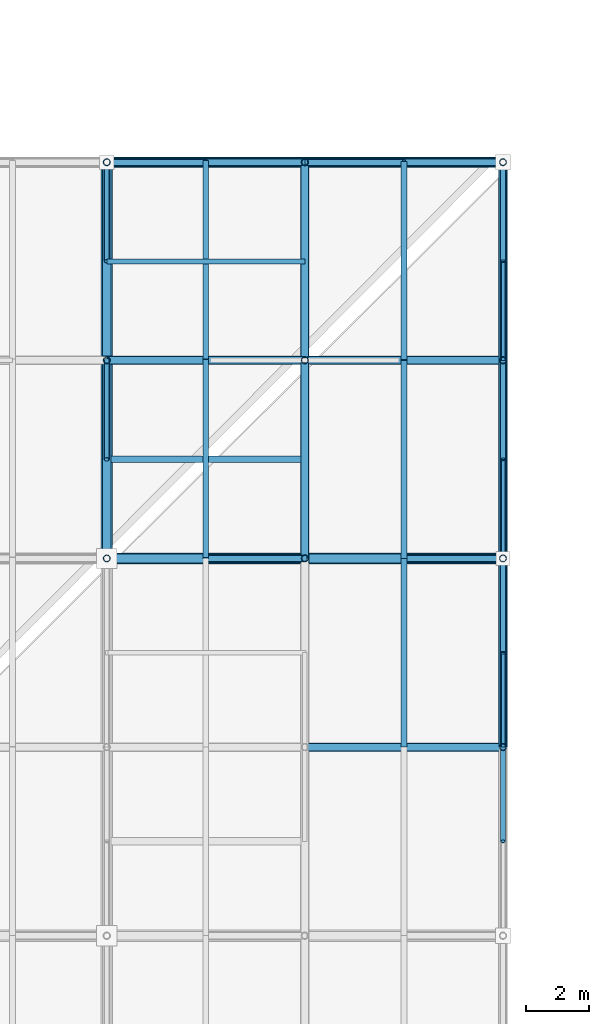
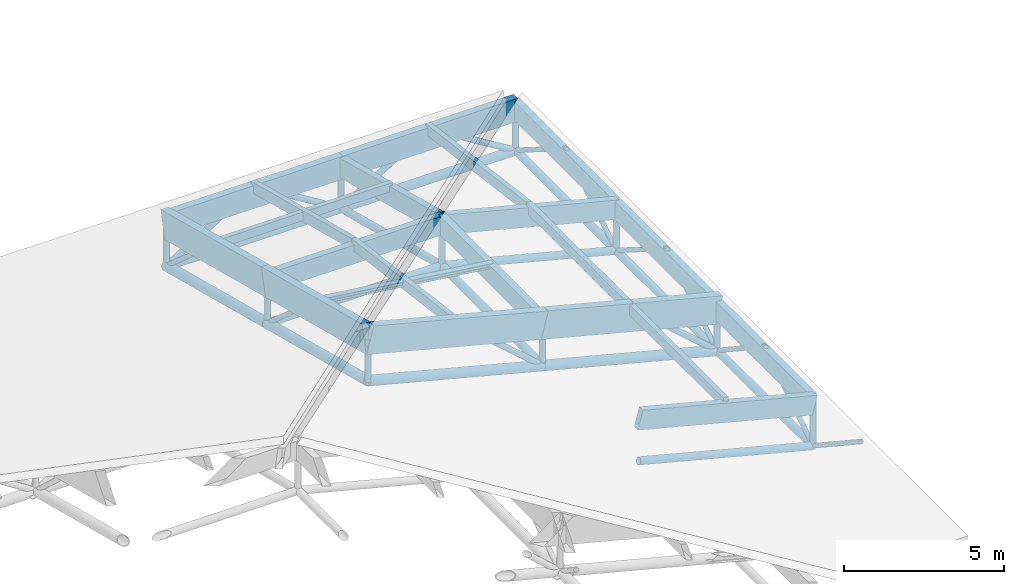
# One storey, part 68 of 80: 60 members.
"""IFC4 building model written with IfcOpenShell, lengths in metres."""

from ifc_helpers import new_model, si_unit, direction, frame, origin, origin_2d, place, context, subcontext, project, spatial, rectangle, hollow_circle, i_section, extrude, material, material_profile, profile_set, type_object, element, save


model = new_model("IFC4")

# Units and contexts
model_context = context("Model", 3, precision=1e-05, world=origin(), true_north=direction((0.0, 1.0)))
body_context = subcontext(model_context, "Body", "Model", "MODEL_VIEW")
ifc_project = project(units=[si_unit("LENGTHUNIT", "METRE"), si_unit("AREAUNIT", "SQUARE_METRE"), si_unit("VOLUMEUNIT", "CUBIC_METRE"), si_unit("PLANEANGLEUNIT", "RADIAN"), si_unit("MASSUNIT", "GRAM", prefix="KILO"), si_unit("THERMODYNAMICTEMPERATUREUNIT", "KELVIN"), si_unit("POWERUNIT", "WATT")], contexts=[model_context])

# Site, building, storey
site_placement = place(None, origin())
site = spatial("IfcSite", under=ifc_project, at=site_placement, CompositionType="ELEMENT")
building_placement = place(site_placement, origin())
building = spatial("IfcBuilding", under=site, at=building_placement, Name="Solmara Park Aquatics Centre", CompositionType="ELEMENT")
storey_placement = place(building_placement, frame((0.0, 0.0, 22.800048828125)))
storey = spatial("IfcBuildingStorey", under=building, at=storey_placement, Name="RF", CompositionType="ELEMENT", Elevation=22.800048828125)

# Members
ifc_material_1 = material(Name="Structural Steel S355", Category="steel")
ifc_material_profile_1 = material_profile(ifc_material_1, hollow_circle(Radius=0.084228515625, WallThickness=0.008056640625, at=origin_2d()), Name="CHS 168.3x8")
ifc_profile_set_1 = profile_set([ifc_material_profile_1], Name="Structural Steel S355")
member_type_1 = type_object("IfcMemberType", Name="STR-BRC-CHS168", PredefinedType="BRACE", material=ifc_profile_set_1)
for number, where, z_axis, x_axis, name in (
    (1, (109.199951171875, 66.60009765625, -14.400146484375), (0.0, -0.834611904619, 0.550838423377), (1.0, 0.0, 0.0), "Roof Truss Web Diagonal Y 2107"),
    (2, (109.199951171875, 66.60009765625, -14.400146484375), (0.0, 0.834611904619, 0.550838423377), (-1.0, 0.0, 0.0), "Roof Truss Web Diagonal Y 2129"),
    (3, (109.199951171875, 72.60009765625, -14.400146484375), (0.0, -0.834611904619, 0.550838423377), (1.0, 0.0, 0.0), "Roof Truss Web Diagonal Y 2130"),
):
    element("IfcMember", number, at=place(storey_placement, frame(where, z_axis=z_axis, x_axis=x_axis)), inside=storey, type_object=member_type_1, Name=name, PredefinedType="BRACE", context=body_context, shape_type="SweptSolid", body=[
        extrude(hollow_circle(Radius=0.084228515625, WallThickness=0.008056640625, at=origin_2d()), origin(), (0.0, 0.0, 1.0), 3.594482421875),
    ])
member_1_placement = place(storey_placement, frame((96.60009765625, 78.89990234375, -12.770751953125), z_axis=(0.0, -0.748026356938, 0.663669020917), x_axis=(1.0, 0.0, 0.0)))
element("IfcMember", 4, at=member_1_placement, inside=storey, type_object=member_type_1, Name="Roof Truss Web Diagonal Y 2149", PredefinedType="BRACE", context=body_context, shape_type="SweptSolid", body=[
    extrude(hollow_circle(Radius=0.084228515625, WallThickness=0.008056640625, at=origin_2d()), origin(), (0.0, 0.0, 1.0), 4.2109375),
])
for number, where, z_axis, x_axis, name in (
    (5, (109.199951171875, 72.60009765625, -14.400146484375), (0.0, 0.846631480792, 0.532179608527), (-1.0, 0.0, 0.0), "Roof Truss Web Diagonal Y 2150"),
    (6, (109.199951171875, 78.89990234375, -14.400146484375), (0.0, -0.846631480792, 0.532179608527), (1.0, 0.0, 0.0), "Roof Truss Web Diagonal Y 2151"),
):
    element("IfcMember", number, at=place(storey_placement, frame(where, z_axis=z_axis, x_axis=x_axis)), inside=storey, type_object=member_type_1, Name=name, PredefinedType="BRACE", context=body_context, shape_type="SweptSolid", body=[
        extrude(hollow_circle(Radius=0.084228515625, WallThickness=0.008056640625, at=origin_2d()), origin(), (0.0, 0.0, 1.0), 3.720458984375),
    ])
member_2_placement = place(storey_placement, frame((96.60009765625, 85.199951171875, -14.400146484375), z_axis=(0.0, -0.748026356938, 0.663669020917), x_axis=(1.0, 0.0, 0.0)))
element("IfcMember", 7, at=member_2_placement, inside=storey, type_object=member_type_1, Name="Roof Truss Web Diagonal Y 2170", PredefinedType="BRACE", context=body_context, shape_type="SweptSolid", body=[
    extrude(hollow_circle(Radius=0.084228515625, WallThickness=0.008056640625, at=origin_2d()), origin(), (0.0, 0.0, 1.0), 4.2109375),
])
member_3_placement = place(storey_placement, frame((109.199951171875, 78.89990234375, -14.400146484375), z_axis=(0.0, 0.846650063869, 0.532150044019), x_axis=(-1.0, 0.0, 0.0)))
element("IfcMember", 8, at=member_3_placement, inside=storey, type_object=member_type_1, Name="Roof Truss Web Diagonal Y 2171", PredefinedType="BRACE", context=body_context, shape_type="SweptSolid", body=[
    extrude(hollow_circle(Radius=0.084228515625, WallThickness=0.008056640625, at=origin_2d()), origin(), (0.0, 0.0, 1.0), 3.720703125),
])
member_4_placement = place(storey_placement, frame((109.199951171875, 85.199951171875, -14.400146484375), z_axis=(0.0, -0.846631480792, 0.532179608527), x_axis=(1.0, 0.0, 0.0)))
element("IfcMember", 9, at=member_4_placement, inside=storey, type_object=member_type_1, Name="Roof Truss Web Diagonal Y 2172", PredefinedType="BRACE", context=body_context, shape_type="SweptSolid", body=[
    extrude(hollow_circle(Radius=0.084228515625, WallThickness=0.008056640625, at=origin_2d()), origin(), (0.0, 0.0, 1.0), 3.720458984375),
])
ifc_material_profile_2 = material_profile(ifc_material_1, hollow_circle(Radius=0.109619140625, WallThickness=0.010009765625, at=origin_2d()), Name="CHS 219.1x10")
ifc_profile_set_2 = profile_set([ifc_material_profile_2], Name="Structural Steel S355")
member_type_2 = type_object("IfcMemberType", Name="STR-BRC-CHS219", PredefinedType="BRACE", material=ifc_profile_set_2)
member_5_placement = place(storey_placement, frame((102.89990234375, 72.60009765625, -12.770751953125), z_axis=(-0.752757378615, 0.0, 0.658298054791), x_axis=(0.0, -1.0, 0.0)))
element("IfcMember", 10, at=member_5_placement, inside=storey, type_object=member_type_2, Name="Roof Truss Web Diagonal X 1812", PredefinedType="BRACE", context=body_context, shape_type="SweptSolid", body=[
    extrude(hollow_circle(Radius=0.109619140625, WallThickness=0.010009765625, at=origin_2d()), origin(), (0.0, 0.0, 1.0), 4.1845703125),
])
for number, where, z_axis, x_axis, name in (
    (11, (96.60009765625, 85.199951171875, -14.400146484375), (0.851442988405, 0.0, 0.524447173218), (0.0, 1.0, 0.0), "Roof Truss Web Diagonal X 1813"),
    (12, (102.89990234375, 85.199951171875, -14.400146484375), (-0.851442988405, 0.0, 0.524447173218), (0.0, -1.0, 0.0), "Roof Truss Web Diagonal X 1814"),
):
    element("IfcMember", number, at=place(storey_placement, frame(where, z_axis=z_axis, x_axis=x_axis)), inside=storey, type_object=member_type_2, Name=name, PredefinedType="BRACE", context=body_context, shape_type="SweptSolid", body=[
        extrude(hollow_circle(Radius=0.109619140625, WallThickness=0.010009765625, at=origin_2d()), origin(), (0.0, 0.0, 1.0), 3.699462890625),
    ])
member_6_placement = place(storey_placement, frame((109.199951171875, 72.60009765625, -14.400146484375), z_axis=(-0.752757378615, 0.0, 0.658298054791), x_axis=(0.0, -1.0, 0.0)))
element("IfcMember", 13, at=member_6_placement, inside=storey, type_object=member_type_2, Name="Roof Truss Web Diagonal X 1836", PredefinedType="BRACE", context=body_context, shape_type="SweptSolid", body=[
    extrude(hollow_circle(Radius=0.109619140625, WallThickness=0.010009765625, at=origin_2d()), origin(), (0.0, 0.0, 1.0), 4.1845703125),
])
member_7_placement = place(storey_placement, frame((102.89990234375, 85.199951171875, -14.400146484375), z_axis=(0.851461137937, 0.0, 0.524417706207), x_axis=(0.0, 1.0, 0.0)))
element("IfcMember", 14, at=member_7_placement, inside=storey, type_object=member_type_2, Name="Roof Truss Web Diagonal X 1837", PredefinedType="BRACE", context=body_context, shape_type="SweptSolid", body=[
    extrude(hollow_circle(Radius=0.109619140625, WallThickness=0.010009765625, at=origin_2d()), origin(), (0.0, 0.0, 1.0), 3.69970703125),
])
member_8_placement = place(storey_placement, frame((109.199951171875, 85.199951171875, -14.400146484375), z_axis=(-0.851442988405, 0.0, 0.524447173218), x_axis=(0.0, -1.0, 0.0)))
element("IfcMember", 15, at=member_8_placement, inside=storey, type_object=member_type_2, Name="Roof Truss Web Diagonal X 1838", PredefinedType="BRACE", context=body_context, shape_type="SweptSolid", body=[
    extrude(hollow_circle(Radius=0.109619140625, WallThickness=0.010009765625, at=origin_2d()), origin(), (0.0, 0.0, 1.0), 3.699462890625),
])
ifc_material_profile_3 = material_profile(ifc_material_1, hollow_circle(Radius=0.136474609375, WallThickness=0.012451171875, at=origin_2d()), Name="CHS 273x12.5")
ifc_profile_set_3 = profile_set([ifc_material_profile_3], Name="Structural Steel S355")
member_type_3 = type_object("IfcMemberType", Name="STR-CHD-CHS273", PredefinedType="CHORD", material=ifc_profile_set_3)
member_9_placement = place(storey_placement, frame((102.89990234375, 66.60009765625, -12.770751953125), z_axis=(0.968144245908, 0.0, -0.25039312913), x_axis=(0.0, 1.0, 0.0)))
element("IfcMember", 16, at=member_9_placement, inside=storey, type_object=member_type_3, Name="Steel Roof Truss Bottom Chord X 0432", PredefinedType="CHORD", context=body_context, shape_type="SweptSolid", body=[
    extrude(hollow_circle(Radius=0.136474609375, WallThickness=0.012451171875, at=origin_2d()), origin(), (0.0, 0.0, 1.0), 6.50732421875),
])
member_10_placement = place(storey_placement, frame((96.60009765625, 78.89990234375, -12.770751953125), z_axis=(1.0, 0.0, 0.0), x_axis=(0.0, 1.0, 0.0)))
element("IfcMember", 17, at=member_10_placement, inside=storey, type_object=member_type_3, Name="Steel Roof Truss Bottom Chord X 0502", PredefinedType="CHORD", context=body_context, shape_type="SweptSolid", body=[
    extrude(hollow_circle(Radius=0.136474609375, WallThickness=0.012451171875, at=origin_2d()), origin(), (0.0, 0.0, 1.0), 6.2998046875),
])
member_11_placement = place(storey_placement, frame((102.89990234375, 78.89990234375, -12.770751953125), z_axis=(0.968144245908, 0.0, -0.25039312913), x_axis=(0.0, 1.0, 0.0)))
element("IfcMember", 18, at=member_11_placement, inside=storey, type_object=member_type_3, Name="Steel Roof Truss Bottom Chord X 0504", PredefinedType="CHORD", context=body_context, shape_type="SweptSolid", body=[
    extrude(hollow_circle(Radius=0.136474609375, WallThickness=0.012451171875, at=origin_2d()), origin(), (0.0, 0.0, 1.0), 6.50732421875),
])
member_12_placement = place(storey_placement, frame((102.89990234375, 72.60009765625, -12.770751953125), z_axis=(0.0, 1.0, 0.0), x_axis=(-1.0, 0.0, 0.0)))
element("IfcMember", 19, at=member_12_placement, inside=storey, type_object=member_type_3, Name="Steel Roof Truss Bottom Chord Y 1042", PredefinedType="CHORD", context=body_context, shape_type="SweptSolid", body=[
    extrude(hollow_circle(Radius=0.136474609375, WallThickness=0.012451171875, at=origin_2d()), origin(), (0.0, 0.0, 1.0), 6.2998046875),
])
member_13_placement = place(storey_placement, frame((102.89990234375, 78.89990234375, -12.770751953125), z_axis=(0.0, 0.968144245908, -0.25039312913), x_axis=(-1.0, 0.0, 0.0)))
element("IfcMember", 20, at=member_13_placement, inside=storey, type_object=member_type_3, Name="Steel Roof Truss Bottom Chord Y 1044", PredefinedType="CHORD", context=body_context, shape_type="SweptSolid", body=[
    extrude(hollow_circle(Radius=0.136474609375, WallThickness=0.012451171875, at=origin_2d()), origin(), (0.0, 0.0, 1.0), 6.50732421875),
])
member_14_placement = place(storey_placement, frame((109.199951171875, 66.60009765625, -14.400146484375), z_axis=(0.0, 1.0, 0.0), x_axis=(-1.0, 0.0, 0.0)))
element("IfcMember", 21, at=member_14_placement, inside=storey, type_object=member_type_3, Name="Steel Roof Truss Bottom Chord Y 1068", PredefinedType="CHORD", context=body_context, shape_type="SweptSolid", body=[
    extrude(hollow_circle(Radius=0.136474609375, WallThickness=0.012451171875, at=origin_2d()), origin(), (0.0, 0.0, 1.0), 6.0),
])
member_15_placement = place(storey_placement, frame((109.199951171875, 72.60009765625, -14.400146484375), z_axis=(0.0, 1.0, 0.0), x_axis=(-1.0, 0.0, 0.0)))
element("IfcMember", 22, at=member_15_placement, inside=storey, type_object=member_type_3, Name="Steel Roof Truss Bottom Chord Y 1070", PredefinedType="CHORD", context=body_context, shape_type="SweptSolid", body=[
    extrude(hollow_circle(Radius=0.136474609375, WallThickness=0.012451171875, at=origin_2d()), origin(), (0.0, 0.0, 1.0), 6.2998046875),
])
member_16_placement = place(storey_placement, frame((109.199951171875, 78.89990234375, -14.400146484375), z_axis=(0.0, 1.0, 0.0), x_axis=(-1.0, 0.0, 0.0)))
element("IfcMember", 23, at=member_16_placement, inside=storey, type_object=member_type_3, Name="Steel Roof Truss Bottom Chord Y 1072", PredefinedType="CHORD", context=body_context, shape_type="SweptSolid", body=[
    extrude(hollow_circle(Radius=0.136474609375, WallThickness=0.012451171875, at=origin_2d()), origin(), (0.0, 0.0, 1.0), 6.300048828125),
])
ifc_material_profile_4 = material_profile(ifc_material_1, hollow_circle(Radius=0.161865234375, WallThickness=0.01611328125, at=origin_2d()), Name="CHS 323.9x16")
ifc_profile_set_4 = profile_set([ifc_material_profile_4], Name="Structural Steel S355")
member_type_4 = type_object("IfcMemberType", Name="STR-CHD-CHS323", PredefinedType="CHORD", material=ifc_profile_set_4)
member_17_placement = place(storey_placement, frame((96.60009765625, 85.199951171875, -14.400146484375), z_axis=(1.0, 0.0, 0.0), x_axis=(0.0, 1.0, 0.0)))
element("IfcMember", 24, at=member_17_placement, inside=storey, type_object=member_type_4, Name="Steel Roof Truss Bottom Chord X 0538", PredefinedType="CHORD", context=body_context, shape_type="SweptSolid", body=[
    extrude(hollow_circle(Radius=0.161865234375, WallThickness=0.01611328125, at=origin_2d()), origin(), (0.0, 0.0, 1.0), 6.2998046875),
])
member_18_placement = place(storey_placement, frame((102.89990234375, 85.199951171875, -14.400146484375), z_axis=(1.0, 0.0, 0.0), x_axis=(0.0, 1.0, 0.0)))
element("IfcMember", 25, at=member_18_placement, inside=storey, type_object=member_type_4, Name="Steel Roof Truss Bottom Chord X 0540", PredefinedType="CHORD", context=body_context, shape_type="SweptSolid", body=[
    extrude(hollow_circle(Radius=0.161865234375, WallThickness=0.01611328125, at=origin_2d()), origin(), (0.0, 0.0, 1.0), 6.300048828125),
])
ifc_material_profile_5 = material_profile(ifc_material_1, hollow_circle(Radius=0.177734375, WallThickness=0.01611328125, at=origin_2d()), Name="CHS 355.6x16")
ifc_profile_set_5 = profile_set([ifc_material_profile_5], Name="Structural Steel S355")
member_type_5 = type_object("IfcMemberType", Name="STR-CHD-CHS355", PredefinedType="CHORD", material=ifc_profile_set_5)
member_19_placement = place(storey_placement, frame((96.60009765625, 72.60009765625, -11.141357421875), z_axis=(0.968141893543, 0.0, -0.250402224365), x_axis=(0.0, 1.0, 0.0)))
element("IfcMember", 26, at=member_19_placement, inside=storey, type_object=member_type_5, Name="Steel Roof Truss Bottom Chord X 0466", PredefinedType="CHORD", context=body_context, shape_type="SweptSolid", body=[
    extrude(hollow_circle(Radius=0.177734375, WallThickness=0.01611328125, at=origin_2d()), origin(), (0.0, 0.0, 1.0), 6.507080078125),
])
member_20_placement = place(storey_placement, frame((102.89990234375, 72.60009765625, -12.770751953125), z_axis=(0.968144245908, 0.0, -0.25039312913), x_axis=(0.0, 1.0, 0.0)))
element("IfcMember", 27, at=member_20_placement, inside=storey, type_object=member_type_5, Name="Steel Roof Truss Bottom Chord X 0468", PredefinedType="CHORD", context=body_context, shape_type="SweptSolid", body=[
    extrude(hollow_circle(Radius=0.177734375, WallThickness=0.01611328125, at=origin_2d()), origin(), (0.0, 0.0, 1.0), 6.50732421875),
])
member_21_placement = place(storey_placement, frame((96.60009765625, 72.60009765625, -11.141357421875), z_axis=(0.0, 0.968141893543, -0.250402224365), x_axis=(-1.0, 0.0, 0.0)))
element("IfcMember", 28, at=member_21_placement, inside=storey, type_object=member_type_5, Name="Steel Roof Truss Bottom Chord Y 1014", PredefinedType="CHORD", context=body_context, shape_type="SweptSolid", body=[
    extrude(hollow_circle(Radius=0.177734375, WallThickness=0.01611328125, at=origin_2d()), origin(), (0.0, 0.0, 1.0), 6.507080078125),
])
member_22_placement = place(storey_placement, frame((96.60009765625, 78.89990234375, -12.770751953125), z_axis=(0.0, 0.968144245908, -0.25039312913), x_axis=(-1.0, 0.0, 0.0)))
element("IfcMember", 29, at=member_22_placement, inside=storey, type_object=member_type_5, Name="Steel Roof Truss Bottom Chord Y 1016", PredefinedType="CHORD", context=body_context, shape_type="SweptSolid", body=[
    extrude(hollow_circle(Radius=0.177734375, WallThickness=0.01611328125, at=origin_2d()), origin(), (0.0, 0.0, 1.0), 6.50732421875),
])
ifc_material_2 = material(Name="Glulam Timber GL28h", Category="wood")
ifc_material_profile_6 = material_profile(ifc_material_2, rectangle(XDim=0.239990234375, YDim=0.719970703125, at=origin_2d()), Name="GL28h 240x720")
ifc_profile_set_6 = profile_set([ifc_material_profile_6], Name="Glulam Timber GL28h")
member_type_6 = type_object("IfcMemberType", Name="STR-CHD-GL240x720", PredefinedType="CHORD", material=ifc_profile_set_6)
member_23_placement = place(storey_placement, frame((102.89990234375, 66.60009765625, -11.150634765625), z_axis=(0.968144245908, 0.0, -0.25039312913), x_axis=(0.0, 1.0, 0.0)))
element("IfcMember", 30, at=member_23_placement, inside=storey, type_object=member_type_6, Name="Glulam Roof Truss Top Chord X 0431", PredefinedType="CHORD", context=body_context, shape_type="SweptSolid", body=[
    extrude(rectangle(XDim=0.239990234375, YDim=0.719970703125, at=origin_2d()), origin(), (0.0, 0.0, 1.0), 6.50732421875),
])
member_24_placement = place(storey_placement, frame((96.60009765625, 78.89990234375, -11.150634765625), z_axis=(1.0, 0.0, 0.0), x_axis=(0.0, 1.0, 0.0)))
element("IfcMember", 31, at=member_24_placement, inside=storey, type_object=member_type_6, Name="Glulam Roof Truss Top Chord X 0501", PredefinedType="CHORD", context=body_context, shape_type="SweptSolid", body=[
    extrude(rectangle(XDim=0.239990234375, YDim=0.719970703125, at=origin_2d()), origin(), (0.0, 0.0, 1.0), 6.2998046875),
])
member_25_placement = place(storey_placement, frame((102.89990234375, 78.89990234375, -11.150634765625), z_axis=(0.968144245908, 0.0, -0.25039312913), x_axis=(0.0, 1.0, 0.0)))
element("IfcMember", 32, at=member_25_placement, inside=storey, type_object=member_type_6, Name="Glulam Roof Truss Top Chord X 0503", PredefinedType="CHORD", context=body_context, shape_type="SweptSolid", body=[
    extrude(rectangle(XDim=0.239990234375, YDim=0.719970703125, at=origin_2d()), origin(), (0.0, 0.0, 1.0), 6.50732421875),
])
member_26_placement = place(storey_placement, frame((102.89990234375, 72.60009765625, -11.150634765625), z_axis=(0.0, 1.0, 0.0), x_axis=(-1.0, 0.0, 0.0)))
element("IfcMember", 33, at=member_26_placement, inside=storey, type_object=member_type_6, Name="Glulam Roof Truss Top Chord Y 1041", PredefinedType="CHORD", context=body_context, shape_type="SweptSolid", body=[
    extrude(rectangle(XDim=0.239990234375, YDim=0.719970703125, at=origin_2d()), origin(), (0.0, 0.0, 1.0), 6.2998046875),
])
member_27_placement = place(storey_placement, frame((102.89990234375, 78.89990234375, -11.150634765625), z_axis=(0.0, 0.968144245908, -0.25039312913), x_axis=(-1.0, 0.0, 0.0)))
element("IfcMember", 34, at=member_27_placement, inside=storey, type_object=member_type_6, Name="Glulam Roof Truss Top Chord Y 1043", PredefinedType="CHORD", context=body_context, shape_type="SweptSolid", body=[
    extrude(rectangle(XDim=0.239990234375, YDim=0.719970703125, at=origin_2d()), origin(), (0.0, 0.0, 1.0), 6.50732421875),
])
member_28_placement = place(storey_placement, frame((109.199951171875, 66.60009765625, -12.780029296875), z_axis=(0.0, 1.0, 0.0), x_axis=(-1.0, 0.0, 0.0)))
element("IfcMember", 35, at=member_28_placement, inside=storey, type_object=member_type_6, Name="Glulam Roof Truss Top Chord Y 1067", PredefinedType="CHORD", context=body_context, shape_type="SweptSolid", body=[
    extrude(rectangle(XDim=0.239990234375, YDim=0.719970703125, at=origin_2d()), origin(), (0.0, 0.0, 1.0), 6.0),
])
member_29_placement = place(storey_placement, frame((109.199951171875, 72.60009765625, -12.780029296875), z_axis=(0.0, 1.0, 0.0), x_axis=(-1.0, 0.0, 0.0)))
element("IfcMember", 36, at=member_29_placement, inside=storey, type_object=member_type_6, Name="Glulam Roof Truss Top Chord Y 1069", PredefinedType="CHORD", context=body_context, shape_type="SweptSolid", body=[
    extrude(rectangle(XDim=0.239990234375, YDim=0.719970703125, at=origin_2d()), origin(), (0.0, 0.0, 1.0), 6.2998046875),
])
member_30_placement = place(storey_placement, frame((109.199951171875, 78.89990234375, -12.780029296875), z_axis=(0.0, 1.0, 0.0), x_axis=(-1.0, 0.0, 0.0)))
element("IfcMember", 37, at=member_30_placement, inside=storey, type_object=member_type_6, Name="Glulam Roof Truss Top Chord Y 1071", PredefinedType="CHORD", context=body_context, shape_type="SweptSolid", body=[
    extrude(rectangle(XDim=0.239990234375, YDim=0.719970703125, at=origin_2d()), origin(), (0.0, 0.0, 1.0), 6.300048828125),
])
ifc_material_profile_7 = material_profile(ifc_material_2, rectangle(XDim=0.260009765625, YDim=0.8798828125, at=origin_2d()), Name="GL28h 260x880")
ifc_profile_set_7 = profile_set([ifc_material_profile_7], Name="Glulam Timber GL28h")
member_type_7 = type_object("IfcMemberType", Name="STR-CHD-GL260x880", PredefinedType="CHORD", material=ifc_profile_set_7)
member_31_placement = place(storey_placement, frame((96.60009765625, 85.199951171875, -12.780029296875), z_axis=(1.0, 0.0, 0.0), x_axis=(0.0, 1.0, 0.0)))
element("IfcMember", 38, at=member_31_placement, inside=storey, type_object=member_type_7, Name="Glulam Roof Truss Top Chord X 0537", PredefinedType="CHORD", context=body_context, shape_type="SweptSolid", body=[
    extrude(rectangle(XDim=0.260009765625, YDim=0.8798828125, at=origin_2d()), origin(), (0.0, 0.0, 1.0), 6.2998046875),
])
member_32_placement = place(storey_placement, frame((102.89990234375, 85.199951171875, -12.780029296875), z_axis=(1.0, 0.0, 0.0), x_axis=(0.0, 1.0, 0.0)))
element("IfcMember", 39, at=member_32_placement, inside=storey, type_object=member_type_7, Name="Glulam Roof Truss Top Chord X 0539", PredefinedType="CHORD", context=body_context, shape_type="SweptSolid", body=[
    extrude(rectangle(XDim=0.260009765625, YDim=0.8798828125, at=origin_2d()), origin(), (0.0, 0.0, 1.0), 6.300048828125),
])
ifc_material_profile_8 = material_profile(ifc_material_2, rectangle(XDim=0.280029296875, YDim=1.0400390625, at=origin_2d()), Name="GL28h 280x1040")
ifc_profile_set_8 = profile_set([ifc_material_profile_8], Name="Glulam Timber GL28h")
member_type_8 = type_object("IfcMemberType", Name="STR-CHD-GL280x1040", PredefinedType="CHORD", material=ifc_profile_set_8)
member_33_placement = place(storey_placement, frame((96.60009765625, 72.60009765625, -9.521484375), z_axis=(0.968150988544, 0.0, -0.250367057299), x_axis=(0.0, 1.0, 0.0)))
element("IfcMember", 40, at=member_33_placement, inside=storey, type_object=member_type_8, Name="Glulam Roof Truss Top Chord X 0465", PredefinedType="CHORD", context=body_context, shape_type="SweptSolid", body=[
    extrude(rectangle(XDim=0.280029296875, YDim=1.0400390625, at=origin_2d()), origin(), (0.0, 0.0, 1.0), 6.507080078125),
])
member_34_placement = place(storey_placement, frame((102.89990234375, 72.60009765625, -11.150634765625), z_axis=(0.968144245908, 0.0, -0.25039312913), x_axis=(0.0, 1.0, 0.0)))
element("IfcMember", 41, at=member_34_placement, inside=storey, type_object=member_type_8, Name="Glulam Roof Truss Top Chord X 0467", PredefinedType="CHORD", context=body_context, shape_type="SweptSolid", body=[
    extrude(rectangle(XDim=0.280029296875, YDim=1.0400390625, at=origin_2d()), origin(), (0.0, 0.0, 1.0), 6.50732421875),
])
member_35_placement = place(storey_placement, frame((96.60009765625, 72.60009765625, -9.521484375), z_axis=(0.0, 0.968150988544, -0.250367057299), x_axis=(-1.0, 0.0, 0.0)))
element("IfcMember", 42, at=member_35_placement, inside=storey, type_object=member_type_8, Name="Glulam Roof Truss Top Chord Y 1013", PredefinedType="CHORD", context=body_context, shape_type="SweptSolid", body=[
    extrude(rectangle(XDim=0.280029296875, YDim=1.0400390625, at=origin_2d()), origin(), (0.0, 0.0, 1.0), 6.507080078125),
])
member_36_placement = place(storey_placement, frame((96.60009765625, 78.89990234375, -11.150634765625), z_axis=(0.0, 0.968144245908, -0.25039312913), x_axis=(-1.0, 0.0, 0.0)))
element("IfcMember", 43, at=member_36_placement, inside=storey, type_object=member_type_8, Name="Glulam Roof Truss Top Chord Y 1015", PredefinedType="CHORD", context=body_context, shape_type="SweptSolid", body=[
    extrude(rectangle(XDim=0.280029296875, YDim=1.0400390625, at=origin_2d()), origin(), (0.0, 0.0, 1.0), 6.50732421875),
])
ifc_material_profile_9 = material_profile(ifc_material_2, rectangle(XDim=0.159912109375, YDim=0.320068359375, at=origin_2d()), Name="GL28h 160x320")
ifc_profile_set_9 = profile_set([ifc_material_profile_9], Name="Glulam Timber GL28h")
member_type_9 = type_object("IfcMemberType", Name="STR-PRL-GL160x320", PredefinedType="PURLIN", material=ifc_profile_set_9)
member_37_placement = place(storey_placement, frame((96.60009765625, 82.050048828125, -11.62548828125), z_axis=(1.0, 0.0, 0.0), x_axis=(0.0, 1.0, 0.0)))
element("IfcMember", 44, at=member_37_placement, inside=storey, type_object=member_type_9, Name="Glulam Secondary Roof Purlin 2160", PredefinedType="PURLIN", context=body_context, shape_type="SweptSolid", body=[
    extrude(rectangle(XDim=0.159912109375, YDim=0.320068359375, at=origin_2d()), origin(), (0.0, 0.0, 1.0), 6.2998046875),
])
ifc_material_profile_10 = material_profile(ifc_material_2, rectangle(XDim=0.179931640625, YDim=0.39990234375, at=origin_2d()), Name="GL28h 180x400")
ifc_profile_set_10 = profile_set([ifc_material_profile_10], Name="Glulam Timber GL28h")
member_type_10 = type_object("IfcMemberType", Name="STR-PRL-GL180x400", PredefinedType="PURLIN", material=ifc_profile_set_10)
member_38_placement = place(storey_placement, frame((99.75, 72.60009765625, -10.01611328125), z_axis=(0.0, 0.99174147793, -0.128253034873), x_axis=(-1.0, 0.0, 0.0)))
element("IfcMember", 45, at=member_38_placement, inside=storey, type_object=member_type_10, Name="Glulam Roof Purlin 1803", PredefinedType="PURLIN", context=body_context, shape_type="SweptSolid", body=[
    extrude(rectangle(XDim=0.179931640625, YDim=0.39990234375, at=origin_2d()), origin(), (0.0, 0.0, 1.0), 6.352294921875),
])
member_39_placement = place(storey_placement, frame((99.75, 78.89990234375, -10.830810546875), z_axis=(0.0, 0.96815334027, -0.250357963171), x_axis=(-1.0, 0.0, 0.0)))
element("IfcMember", 46, at=member_39_placement, inside=storey, type_object=member_type_10, Name="Glulam Roof Purlin 1804", PredefinedType="PURLIN", context=body_context, shape_type="SweptSolid", body=[
    extrude(rectangle(XDim=0.179931640625, YDim=0.39990234375, at=origin_2d()), origin(), (0.0, 0.0, 1.0), 6.50732421875),
])
member_40_placement = place(storey_placement, frame((106.050048828125, 66.60009765625, -11.6455078125), z_axis=(0.0, 1.0, 0.0), x_axis=(-1.0, 0.0, 0.0)))
element("IfcMember", 47, at=member_40_placement, inside=storey, type_object=member_type_10, Name="Glulam Roof Purlin 1826", PredefinedType="PURLIN", context=body_context, shape_type="SweptSolid", body=[
    extrude(rectangle(XDim=0.179931640625, YDim=0.39990234375, at=origin_2d()), origin(), (0.0, 0.0, 1.0), 6.0),
])
member_41_placement = place(storey_placement, frame((106.050048828125, 72.60009765625, -11.6455078125), z_axis=(0.0, 1.0, 0.0), x_axis=(-1.0, 0.0, 0.0)))
element("IfcMember", 48, at=member_41_placement, inside=storey, type_object=member_type_10, Name="Glulam Roof Purlin 1827", PredefinedType="PURLIN", context=body_context, shape_type="SweptSolid", body=[
    extrude(rectangle(XDim=0.179931640625, YDim=0.39990234375, at=origin_2d()), origin(), (0.0, 0.0, 1.0), 6.2998046875),
])
member_42_placement = place(storey_placement, frame((106.050048828125, 78.89990234375, -11.6455078125), z_axis=(0.0, 0.991746997538, -0.128210346204), x_axis=(-1.0, 0.0, 0.0)))
element("IfcMember", 49, at=member_42_placement, inside=storey, type_object=member_type_10, Name="Glulam Roof Purlin 1828", PredefinedType="PURLIN", context=body_context, shape_type="SweptSolid", body=[
    extrude(rectangle(XDim=0.179931640625, YDim=0.39990234375, at=origin_2d()), origin(), (0.0, 0.0, 1.0), 6.3525390625),
])
ifc_material_profile_11 = material_profile(ifc_material_1, i_section(OverallWidth=0.199951171875, OverallDepth=0.18994140625, WebThickness=0.006591796875, FlangeThickness=0.010009765625, FilletRadius=0.01806640625, at=origin_2d()), Name="HEA 200")
ifc_profile_set_11 = profile_set([ifc_material_profile_11], Name="Structural Steel S355")
member_type_11 = type_object("IfcMemberType", Name="STR-PRL-HEA200", PredefinedType="PURLIN", material=ifc_profile_set_11)
member_43_placement = place(storey_placement, frame((96.60009765625, 75.75, -9.99609375), z_axis=(0.99174147793, 0.0, -0.128253034873), x_axis=(0.0, 1.0, 0.0)))
element("IfcMember", 50, at=member_43_placement, inside=storey, type_object=member_type_11, Name="Glulam Secondary Roof Purlin 2139", PredefinedType="PURLIN", context=body_context, shape_type="SweptSolid", body=[
    extrude(i_section(OverallWidth=0.199951171875, OverallDepth=0.18994140625, WebThickness=0.006591796875, FlangeThickness=0.010009765625, FilletRadius=0.01806640625, at=origin_2d()), origin(), (0.0, 0.0, 1.0), 6.352294921875),
])
ifc_material_profile_12 = material_profile(ifc_material_1, hollow_circle(Radius=0.109619140625, WallThickness=0.010009765625, at=origin_2d()), Name="CHS 219.1x10")
ifc_profile_set_12 = profile_set([ifc_material_profile_12], Name="Structural Steel S355")
member_type_12 = type_object("IfcMemberType", Name="STR-PST-CHS219", PredefinedType="POST", material=ifc_profile_set_12)
member_44_placement = place(storey_placement, frame((96.60009765625, 72.60009765625, -11.141357421875), z_axis=(0.0, 0.0, 1.0), x_axis=(1.0, 0.0, 0.0)))
element("IfcMember", 51, at=member_44_placement, inside=storey, type_object=member_type_12, Name="Roof Truss Web Post 1318", PredefinedType="POST", context=body_context, shape_type="SweptSolid", body=[
    extrude(hollow_circle(Radius=0.109619140625, WallThickness=0.010009765625, at=origin_2d()), origin(), (0.0, 0.0, 1.0), 1.619873046875),
])
for number, where, z_axis, x_axis, name in (
    (52, (96.60009765625, 78.89990234375, -12.770751953125), (0.0, 0.0, 1.0), (1.0, 0.0, 0.0), "Roof Truss Web Post 1319"),
    (53, (96.60009765625, 85.199951171875, -14.400146484375), (0.0, 0.0, 1.0), (1.0, 0.0, 0.0), "Roof Truss Web Post 1320"),
    (54, (102.89990234375, 72.60009765625, -12.770751953125), (0.0, 0.0, 1.0), (1.0, 0.0, 0.0), "Roof Truss Web Post 1333"),
    (55, (102.89990234375, 78.89990234375, -12.770751953125), (0.0, 0.0, 1.0), (1.0, 0.0, 0.0), "Roof Truss Web Post 1334"),
    (56, (102.89990234375, 85.199951171875, -14.400146484375), (0.0, 0.0, 1.0), (1.0, 0.0, 0.0), "Roof Truss Web Post 1335"),
    (57, (109.199951171875, 66.60009765625, -14.400146484375), (0.0, 0.0, 1.0), (1.0, 0.0, 0.0), "Roof Truss Web Post 1343"),
    (58, (109.199951171875, 72.60009765625, -14.400146484375), (0.0, 0.0, 1.0), (1.0, 0.0, 0.0), "Roof Truss Web Post 1344"),
    (59, (109.199951171875, 78.89990234375, -14.400146484375), (0.0, 0.0, 1.0), (1.0, 0.0, 0.0), "Roof Truss Web Post 1345"),
    (60, (109.199951171875, 85.199951171875, -14.400146484375), (0.0, 0.0, 1.0), (1.0, 0.0, 0.0), "Roof Truss Web Post 1346"),
):
    element("IfcMember", number, at=place(storey_placement, frame(where, z_axis=z_axis, x_axis=x_axis)), inside=storey, type_object=member_type_12, Name=name, PredefinedType="POST", context=body_context, shape_type="SweptSolid", body=[
        extrude(hollow_circle(Radius=0.109619140625, WallThickness=0.010009765625, at=origin_2d()), origin(), (0.0, 0.0, 1.0), 1.6201171875),
    ])

save(model, "model.ifc")
